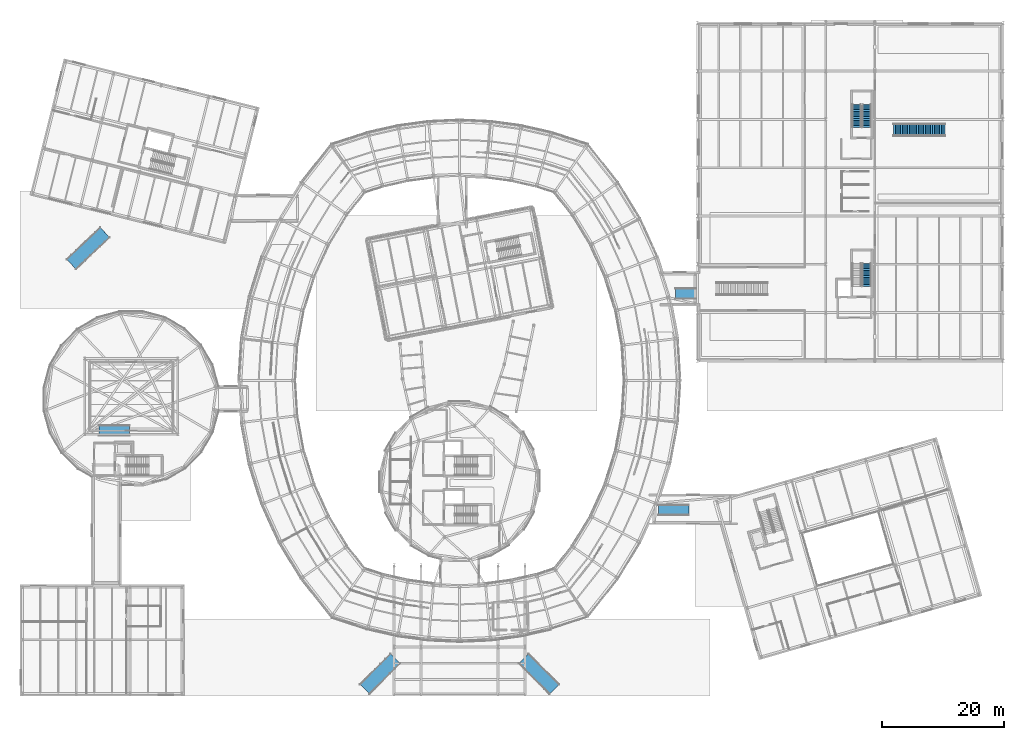
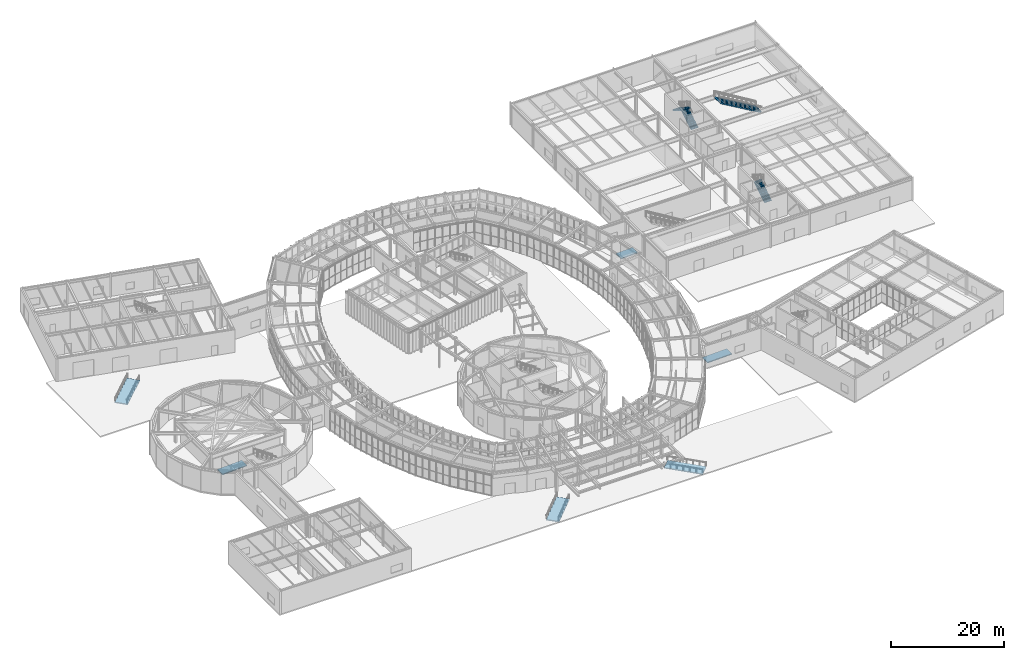
# One storey, part 81 of 97: 6 ramp flights, 4 stair flights, 9 elements without a shape of their own.
"""IFC4 building model written with IfcOpenShell, lengths in metres."""

from ifc_helpers import new_model, si_unit, direction, frame, origin, place, context, subcontext, project, spatial, polyline, outline, extrude, material, layer, layer_set, type_object, element, aggregate, save


model = new_model("IFC4")

# Units and contexts
model_context = context("Model", 3, precision=1e-05, world=origin(), true_north=direction((0.0, 1.0)))
body_context = subcontext(model_context, "Body", "Model", "MODEL_VIEW")
ifc_project = project(units=[si_unit("LENGTHUNIT", "METRE"), si_unit("AREAUNIT", "SQUARE_METRE"), si_unit("VOLUMEUNIT", "CUBIC_METRE"), si_unit("PLANEANGLEUNIT", "RADIAN"), si_unit("MASSUNIT", "GRAM", prefix="KILO")], contexts=[model_context])

# Site, building, storey
site_placement = place(None, origin())
site = spatial("IfcSite", under=ifc_project, at=site_placement, CompositionType="ELEMENT")
building_placement = place(site_placement, origin())
building = spatial("IfcBuilding", under=site, at=building_placement, Name="Varnklinge Art Gallery", CompositionType="ELEMENT")
storey_placement = place(building_placement, origin())
storey = spatial("IfcBuildingStorey", under=building, at=storey_placement, Name="L00", CompositionType="ELEMENT", Elevation=0.0)

# Stair, stair flight
ifc_material_1 = material(Name="Concrete C40/50", Category="concrete")
stair_type_1 = type_object("IfcStairType", Name="STR-C5100", PredefinedType="HALF_TURN_STAIR", material=ifc_material_1)
stair_1_placement = place(storey_placement, origin())
stair_1 = element("IfcStair", 1, at=stair_1_placement, inside=storey, type_object=stair_type_1, Name="L00 Core C3 Stair ST-03", PredefinedType="HALF_TURN_STAIR")
ifc_material_2 = material(Name="Concrete C40/50", Category="concrete")
stair_flight_type_1 = type_object("IfcStairFlightType", Name="FLT-C5100", PredefinedType="STRAIGHT", material=ifc_material_2)
stair_flight_1_placement = place(storey_placement, frame((142.074951171875, 70.39990234375, 0.0), z_axis=(0.0, 0.0, 1.0), x_axis=(0.0, 1.0, 0.0)))
stair_flight_1 = element("IfcStairFlight", 2, at=stair_flight_1_placement, type_object=stair_flight_type_1, Name="ST-03 flight 1", NumberOfRisers=14, NumberOfTreads=13, PredefinedType="STRAIGHT", RiserHeight=0.182142857, TreadLength=0.29, context=body_context, shape_type="SweptSolid", body=[
    extrude(outline(polyline([(0.0, 0.0), (0.0, 0.18212890625), (0.2900390625, 0.18212890625), (0.2900390625, 0.3642578125), (0.580078125, 0.3642578125), (0.580078125, 0.54638671875), (0.8701171875, 0.54638671875), (0.8701171875, 0.728515625), (1.159912109375, 0.728515625), (1.159912109375, 0.91064453125), (1.449951171875, 0.91064453125), (1.449951171875, 1.0927734375), (1.739990234375, 1.0927734375), (1.739990234375, 1.27490234375), (2.030029296875, 1.27490234375), (2.030029296875, 1.45703125), (2.320068359375, 1.45703125), (2.320068359375, 1.639404296875), (2.610107421875, 1.639404296875), (2.610107421875, 1.821533203125), (2.89990234375, 1.821533203125), (2.89990234375, 2.003662109375), (3.18994140625, 2.003662109375), (3.18994140625, 2.185791015625), (3.47998046875, 2.185791015625), (3.47998046875, 2.367919921875), (3.77001953125, 2.367919921875), (3.77001953125, 2.550048828125), (3.77001953125, 2.178955078125), (0.300537109375, 0.0), (0.0, 0.0)])), frame((0.0, 0.72509765625, 0.0), z_axis=(0.0, -1.0, 0.0), x_axis=(1.0, 0.0, 0.0)), (0.0, 0.0, 1.0), 1.449951171875),
])
aggregate(stair_1, [stair_flight_1])

# Stair, stair flights
stair_2_placement = place(storey_placement, origin())
stair_2 = element("IfcStair", 3, at=stair_2_placement, inside=storey, type_object=stair_type_1, Name="L00 Core C7 Stair ST-07", PredefinedType="HALF_TURN_STAIR")
stair_flight_2_placement = place(storey_placement, frame((142.074951171875, 96.39990234375, 0.0), z_axis=(0.0, 0.0, 1.0), x_axis=(0.0, 1.0, 0.0)))
stair_flight_2 = element("IfcStairFlight", 4, at=stair_flight_2_placement, type_object=stair_flight_type_1, Name="ST-07 flight 1", NumberOfRisers=14, NumberOfTreads=13, PredefinedType="STRAIGHT", RiserHeight=0.182142857, TreadLength=0.29, context=body_context, shape_type="SweptSolid", body=[
    extrude(outline(polyline([(0.0, 0.0), (0.0, 0.18212890625), (0.2900390625, 0.18212890625), (0.2900390625, 0.3642578125), (0.580078125, 0.3642578125), (0.580078125, 0.54638671875), (0.8701171875, 0.54638671875), (0.8701171875, 0.728515625), (1.159912109375, 0.728515625), (1.159912109375, 0.91064453125), (1.449951171875, 0.91064453125), (1.449951171875, 1.0927734375), (1.739990234375, 1.0927734375), (1.739990234375, 1.27490234375), (2.030029296875, 1.27490234375), (2.030029296875, 1.45703125), (2.320068359375, 1.45703125), (2.320068359375, 1.639404296875), (2.610107421875, 1.639404296875), (2.610107421875, 1.821533203125), (2.89990234375, 1.821533203125), (2.89990234375, 2.003662109375), (3.18994140625, 2.003662109375), (3.18994140625, 2.185791015625), (3.47998046875, 2.185791015625), (3.47998046875, 2.367919921875), (3.77001953125, 2.367919921875), (3.77001953125, 2.550048828125), (3.77001953125, 2.178955078125), (0.300537109375, 0.0), (0.0, 0.0)])), frame((0.0, 0.72509765625, 0.0), z_axis=(0.0, -1.0, 0.0), x_axis=(1.0, 0.0, 0.0)), (0.0, 0.0, 1.0), 1.449951171875),
])
stair_flight_3_placement = place(storey_placement, frame((140.465087890625, 100.169921875, 2.550048828125), z_axis=(0.0, 0.0, 1.0), x_axis=(0.0, -1.0, 0.0)))
stair_flight_3 = element("IfcStairFlight", 5, at=stair_flight_3_placement, type_object=stair_flight_type_1, Name="ST-07 flight 2", NumberOfRisers=14, NumberOfTreads=13, PredefinedType="STRAIGHT", RiserHeight=0.182142857, TreadLength=0.29, context=body_context, shape_type="SweptSolid", body=[
    extrude(outline(polyline([(0.0, 0.0), (0.0, 0.18212890625), (0.2900390625, 0.18212890625), (0.2900390625, 0.3642578125), (0.580078125, 0.3642578125), (0.580078125, 0.54638671875), (0.8701171875, 0.54638671875), (0.8701171875, 0.728515625), (1.159912109375, 0.728515625), (1.159912109375, 0.91064453125), (1.449951171875, 0.91064453125), (1.449951171875, 1.0927734375), (1.739990234375, 1.0927734375), (1.739990234375, 1.27490234375), (2.030029296875, 1.27490234375), (2.030029296875, 1.45703125), (2.320068359375, 1.45703125), (2.320068359375, 1.639404296875), (2.610107421875, 1.639404296875), (2.610107421875, 1.821533203125), (2.89990234375, 1.821533203125), (2.89990234375, 2.003662109375), (3.18994140625, 2.003662109375), (3.18994140625, 2.185791015625), (3.47998046875, 2.185791015625), (3.47998046875, 2.367919921875), (3.77001953125, 2.367919921875), (3.77001953125, 2.550048828125), (3.77001953125, 2.178955078125), (0.300537109375, 0.0), (0.0, 0.0)])), frame((0.0, 0.72509765625, 0.0), z_axis=(0.0, -1.0, 0.0), x_axis=(1.0, 0.0, 0.0)), (0.0, 0.0, 1.0), 1.449951171875),
])
aggregate(stair_2, [stair_flight_2, stair_flight_3])

# Stair, stair flight
ifc_material_3 = material(Name="Steel S355", Category="steel")
stair_type_2 = type_object("IfcStairType", Name="STR-F510", PredefinedType="STRAIGHT_RUN_STAIR", material=ifc_material_3)
stair_3_placement = place(storey_placement, origin())
stair_3 = element("IfcStair", 6, at=stair_3_placement, inside=storey, type_object=stair_type_2, Name="L00 East Gallery Feature Stair ST-12", PredefinedType="STRAIGHT_RUN_STAIR")
ifc_material_4 = material(Name="Steel S355", Category="steel")
stair_flight_type_2 = type_object("IfcStairFlightType", Name="FLT-F510", PredefinedType="STRAIGHT", material=ifc_material_4)
stair_flight_4_placement = place(storey_placement, frame((154.885009765625, 96.0, 0.0), z_axis=(0.0, 0.0, 1.0), x_axis=(-1.0, 0.0, 0.0)))
stair_flight_4 = element("IfcStairFlight", 7, at=stair_flight_4_placement, type_object=stair_flight_type_2, Name="L00 East Gallery Feature Stair Flight ST-12", NumberOfRisers=30, NumberOfTreads=29, PredefinedType="STRAIGHT", RiserHeight=0.17, TreadLength=0.29, context=body_context, shape_type="SweptSolid", body=[
    extrude(outline(polyline([(0.0, 0.0), (0.0, 0.169921875), (0.2900390625, 0.169921875), (0.2900390625, 0.340087890625), (0.580078125, 0.340087890625), (0.580078125, 0.510009765625), (0.8701171875, 0.510009765625), (0.8701171875, 0.679931640625), (1.159912109375, 0.679931640625), (1.159912109375, 0.85009765625), (1.449951171875, 0.85009765625), (1.449951171875, 1.02001953125), (1.739990234375, 1.02001953125), (1.739990234375, 1.18994140625), (2.030029296875, 1.18994140625), (2.030029296875, 1.360107421875), (2.320068359375, 1.360107421875), (2.320068359375, 1.530029296875), (2.610107421875, 1.530029296875), (2.610107421875, 1.699951171875), (2.89990234375, 1.699951171875), (2.89990234375, 1.8701171875), (3.18994140625, 1.8701171875), (3.18994140625, 2.0400390625), (3.47998046875, 2.0400390625), (3.47998046875, 2.2099609375), (3.77001953125, 2.2099609375), (3.77001953125, 2.3798828125), (4.06005859375, 2.3798828125), (4.06005859375, 2.550048828125), (4.35009765625, 2.550048828125), (4.35009765625, 2.719970703125), (4.639892578125, 2.719970703125), (4.639892578125, 2.889892578125), (4.929931640625, 2.889892578125), (4.929931640625, 3.06005859375), (5.219970703125, 3.06005859375), (5.219970703125, 3.22998046875), (5.510009765625, 3.22998046875), (5.510009765625, 3.39990234375), (5.800048828125, 3.39990234375), (5.800048828125, 3.570068359375), (6.090087890625, 3.570068359375), (6.090087890625, 3.739990234375), (6.3798828125, 3.739990234375), (6.3798828125, 3.909912109375), (6.669921875, 3.909912109375), (6.669921875, 4.080078125), (6.9599609375, 4.080078125), (6.9599609375, 4.25), (7.25, 4.25), (7.25, 4.419921875), (7.5400390625, 4.419921875), (7.5400390625, 4.590087890625), (7.830078125, 4.590087890625), (7.830078125, 4.760009765625), (8.1201171875, 4.760009765625), (8.1201171875, 4.929931640625), (8.409912109375, 4.929931640625), (8.409912109375, 5.10009765625), (8.409912109375, 4.721435546875), (0.355712890625, 0.0), (0.0, 0.0)])), frame((0.0, 1.050048828125, 0.0), z_axis=(0.0, -1.0, 0.0), x_axis=(1.0, 0.0, 0.0)), (0.0, 0.0, 1.0), 2.10009765625),
])
aggregate(stair_3, [stair_flight_4])

# Ramp, ramp flight
ifc_material_5 = material(Name="Concrete C40/50", Category="concrete")
ramp_type_1 = type_object("IfcRampType", Name="RMP-EXT", PredefinedType="STRAIGHT_RUN_RAMP", material=ifc_material_5)
ramp_1_placement = place(storey_placement, origin())
ramp_1 = element("IfcRamp", 8, at=ramp_1_placement, inside=storey, type_object=ramp_type_1, Name="L00 Northwest Barrier-Free Pedestrian Entrance Ramp", PredefinedType="STRAIGHT_RUN_RAMP")
ifc_material_6 = material(Name="Concrete C40/50", Category="concrete")
ifc_layer_1 = layer(ifc_material_6, 0.219970703125)
ifc_layer_set_1 = layer_set([ifc_layer_1], Name="Concrete C40/50")
ramp_flight_type_1 = type_object("IfcRampFlightType", Name="RFL-EXT", PredefinedType="STRAIGHT", material=ifc_layer_set_1)
ramp_flight_1_placement = place(storey_placement, frame((12.824462890625, 73.1279296875, -0.10009765625), z_axis=(-0.009609076671, -0.009084505017, 0.999912564885), x_axis=(0.726586340216, 0.686947907505, 0.013223561767)))
ramp_flight_1 = element("IfcRampFlight", 9, at=ramp_flight_1_placement, type_object=ramp_flight_type_1, Name="L00 Northwest Barrier-Free Pedestrian Entrance Ramp Flight", PredefinedType="STRAIGHT", context=body_context, shape_type="SweptSolid", body=[
    extrude(outline(polyline([(0.0, 0.0), (7.569644095376673, -1.850809341398009e-17), (7.569690899427706, 2.4002047307793752), (4.680405103352214e-05, 2.4002047307793757), (0.0, 0.0)])), origin(), (0.0, 0.0, -1.0), 0.199951171875),
])
aggregate(ramp_1, [ramp_flight_1])

ramp_2_placement = place(storey_placement, origin())
ramp_2 = element("IfcRamp", 10, at=ramp_2_placement, inside=storey, type_object=ramp_type_1, Name="L00 South Forecourt West Barrier-Free Ramp", PredefinedType="STRAIGHT_RUN_RAMP")
ramp_flight_2_placement = place(storey_placement, frame((60.848388671875, 3.651611328125, -0.10009765625), z_axis=(-0.010008762843, -0.010008762843, 0.999899819648), x_axis=(0.707035942981, 0.707035942981, 0.014154528155)))
ramp_flight_2 = element("IfcRampFlight", 11, at=ramp_flight_2_placement, type_object=ramp_flight_type_1, Name="L00 South Forecourt West Barrier-Free Ramp Flight", PredefinedType="STRAIGHT", context=body_context, shape_type="SweptSolid", body=[
    extrude(outline(polyline([(0.0, 0.0), (7.071776264898852, 0.0), (7.071776264898852, 2.399605531858645), (0.0, 2.399605531858645), (0.0, 0.0)])), origin(), (0.0, 0.0, -1.0), 0.199951171875),
])
aggregate(ramp_2, [ramp_flight_2])

ramp_3_placement = place(storey_placement, origin())
ramp_3 = element("IfcRamp", 12, at=ramp_3_placement, inside=storey, type_object=ramp_type_1, Name="L00 South Forecourt East Barrier-Free Ramp", PredefinedType="STRAIGHT_RUN_RAMP")
ramp_flight_3_placement = place(storey_placement, frame((91.848388671875, 5.348388671875, -0.10009765625), z_axis=(0.010008762843, -0.010008762843, 0.999899819648), x_axis=(-0.707035942981, 0.707035942981, 0.014154528155)))
ramp_flight_3 = element("IfcRampFlight", 13, at=ramp_flight_3_placement, type_object=ramp_flight_type_1, Name="L00 South Forecourt East Barrier-Free Ramp Flight", PredefinedType="STRAIGHT", context=body_context, shape_type="SweptSolid", body=[
    extrude(outline(polyline([(0.0, 0.0), (7.071776264898852, 0.0), (7.071776264898852, 2.399605531858645), (0.0, 2.399605531858645), (0.0, 0.0)])), origin(), (0.0, 0.0, -1.0), 0.199951171875),
])
aggregate(ramp_3, [ramp_flight_3])

ifc_material_7 = material(Name="Concrete C40/50", Category="concrete")
ramp_type_2 = type_object("IfcRampType", Name="RMP-INT", PredefinedType="STRAIGHT_RUN_RAMP", material=ifc_material_7)
ramp_4_placement = place(storey_placement, origin())
ramp_4 = element("IfcRamp", 14, at=ramp_4_placement, inside=storey, type_object=ramp_type_2, Name="L00 Auditorium Lower Tier Accessible Ramp", PredefinedType="STRAIGHT_RUN_RAMP")
ifc_material_8 = material(Name="Concrete C40/50", Category="concrete")
ifc_layer_2 = layer(ifc_material_8, 0.219970703125)
ifc_layer_set_2 = layer_set([ifc_layer_2], Name="Concrete C40/50")
ramp_flight_type_2 = type_object("IfcRampFlightType", Name="RFL-INT", PredefinedType="STRAIGHT", material=ifc_layer_set_2)
ramp_flight_4_placement = place(storey_placement, frame((16.5, 45.89990234375, 0.0), z_axis=(-0.043951627341, 0.0, 0.999033660321), x_axis=(0.999033660321, 0.0, 0.043951627341)))
ramp_flight_4 = element("IfcRampFlight", 15, at=ramp_flight_4_placement, type_object=ramp_flight_type_2, Name="L00 Auditorium Lower Tier Accessible Ramp Flight", PredefinedType="STRAIGHT", context=body_context, shape_type="SweptSolid", body=[
    extrude(outline(polyline([(0.0, 0.0), (5.004836371973944, 0.0), (5.004836371973944, 1.800048828125), (0.0, 1.800048828125), (0.0, 0.0)])), origin(), (0.0, 0.0, -1.0), 0.199951171875),
])
aggregate(ramp_4, [ramp_flight_4])

ramp_5_placement = place(storey_placement, origin())
ramp_5 = element("IfcRamp", 16, at=ramp_5_placement, inside=storey, type_object=ramp_type_2, Name="L00 Shell Gallery Link Threshold Ramp", PredefinedType="STRAIGHT_RUN_RAMP")
ramp_flight_5_placement = place(storey_placement, frame((110.800048828125, 68.300048828125, 0.0), z_axis=(-0.03530757107, 0.0, 0.999376493332), x_axis=(0.999376493332, 0.0, 0.03530757107)))
ramp_flight_5 = element("IfcRampFlight", 17, at=ramp_flight_5_placement, type_object=ramp_flight_type_2, Name="L00 Shell Gallery Link Threshold Ramp Flight", PredefinedType="STRAIGHT", context=body_context, shape_type="SweptSolid", body=[
    extrude(outline(polyline([(0.0, 0.0), (3.4020235281034803, 0.0), (3.4020235281034803, 1.8000488281249998), (0.0, 1.8000488281249998), (0.0, 0.0)])), origin(), (0.0, 0.0, -1.0), 0.199951171875),
])
aggregate(ramp_5, [ramp_flight_5])

ramp_6_placement = place(storey_placement, origin())
ramp_6 = element("IfcRamp", 18, at=ramp_6_placement, inside=storey, type_object=ramp_type_2, Name="L00 Studios Courtyard Link Accessible Ramp", PredefinedType="STRAIGHT_RUN_RAMP")
ramp_flight_6_placement = place(storey_placement, frame((108.0, 32.89990234375, 0.0), z_axis=(-0.027967571296, 0.0, 0.999608830971), x_axis=(0.999608830971, 0.0, 0.027967571296)))
ramp_flight_6 = element("IfcRampFlight", 19, at=ramp_flight_6_placement, type_object=ramp_flight_type_2, Name="L00 Studios Courtyard Link Accessible Ramp Flight", PredefinedType="STRAIGHT", context=body_context, shape_type="SweptSolid", body=[
    extrude(outline(polyline([(0.0, 0.0), (5.001956610508977, 0.0), (5.001956610508977, 1.800048828125), (0.0, 1.800048828125), (0.0, 0.0)])), origin(), (0.0, 0.0, -1.0), 0.199951171875),
])
aggregate(ramp_6, [ramp_flight_6])

save(model, "model.ifc")
